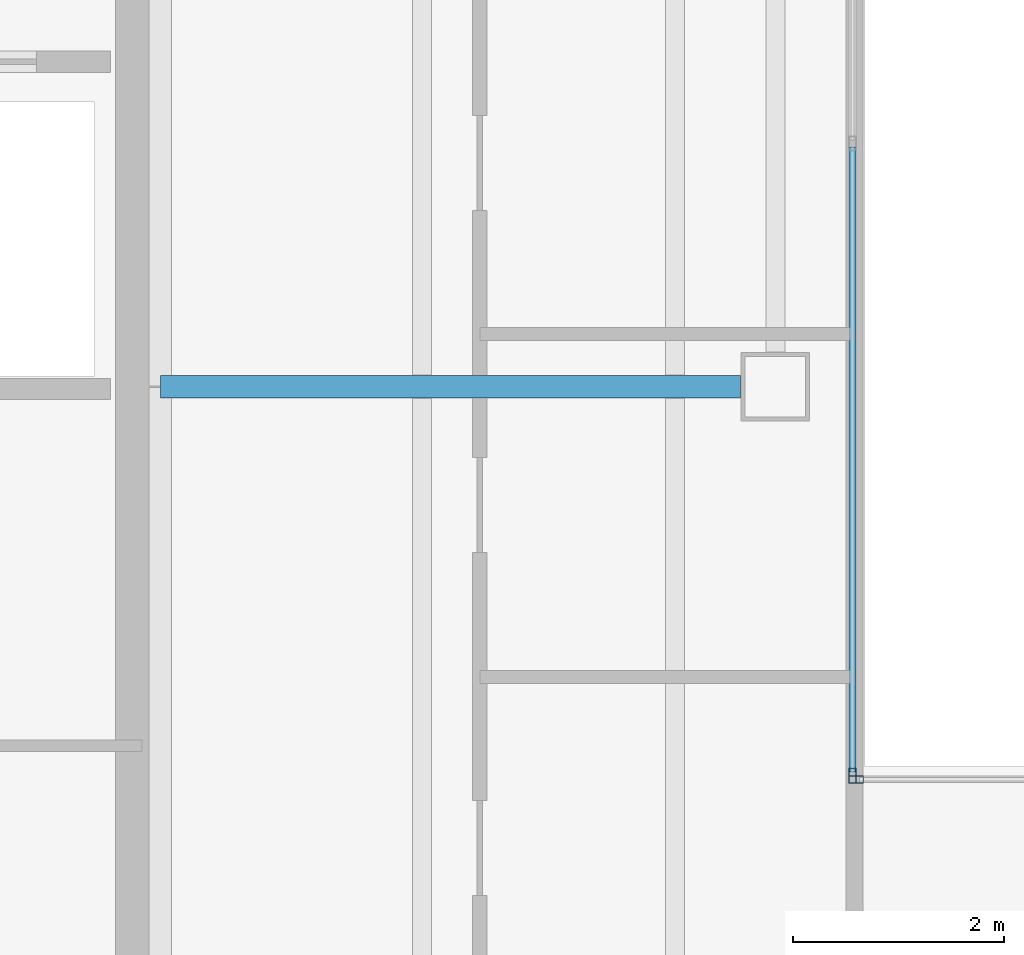
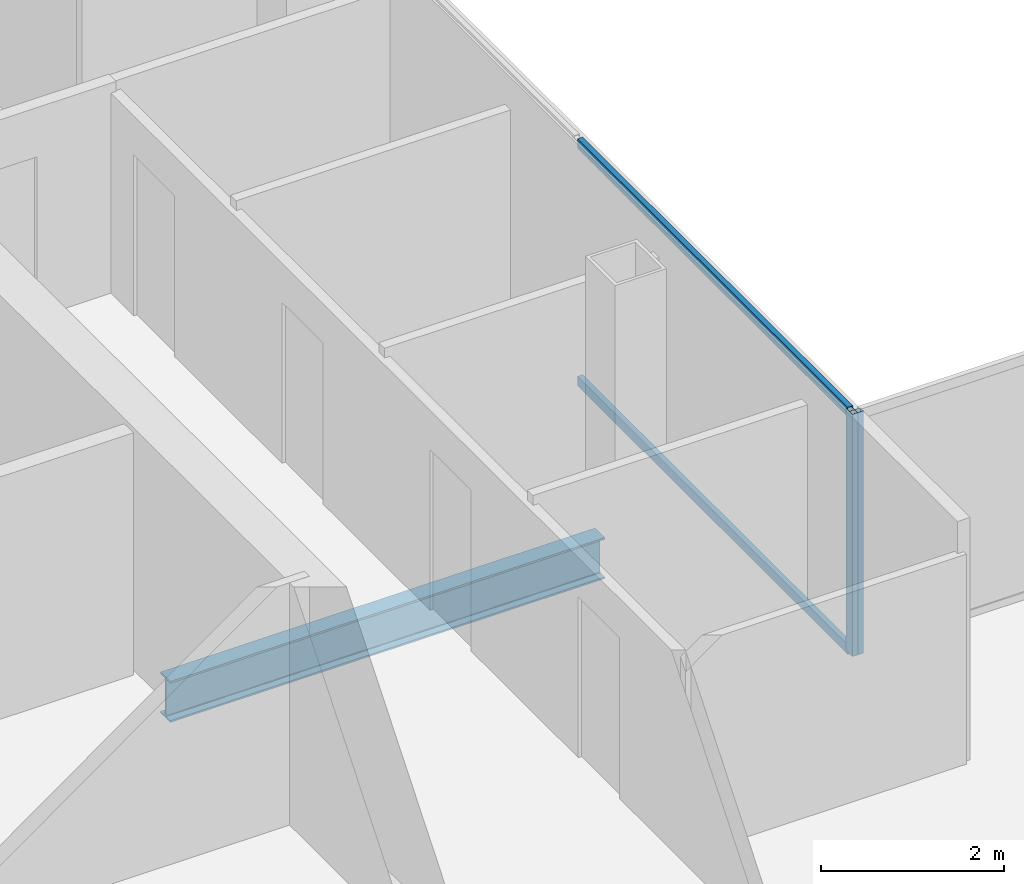
# One storey, part 8 of 24: 4 members, 1 beam, 2 elements without a shape of their own.
"""IFC4 building model written with IfcOpenShell, lengths in metres."""

from ifc_helpers import new_model, si_unit, direction, frame, origin, origin_2d, place, context, subcontext, project, spatial, hollow_rectangle, i_section, extrude, material, material_profile, profile_set, type_object, element, aggregate, save


model = new_model("IFC4")

# Units and contexts
model_context = context("Model", 3, precision=1e-05, world=origin(), true_north=direction((0.0, 1.0)))
body_context = subcontext(model_context, "Body", "Model", "MODEL_VIEW")
ifc_project = project(units=[si_unit("LENGTHUNIT", "METRE"), si_unit("AREAUNIT", "SQUARE_METRE"), si_unit("VOLUMEUNIT", "CUBIC_METRE"), si_unit("PLANEANGLEUNIT", "RADIAN"), si_unit("MASSUNIT", "GRAM", prefix="KILO")], contexts=[model_context])

# Site, building, storey
site_placement = place(None, origin())
site = spatial("IfcSite", under=ifc_project, at=site_placement, CompositionType="ELEMENT")
building_placement = place(site_placement, origin())
building = spatial("IfcBuilding", under=site, at=building_placement, Name="Cobrela Telecom Tower", CompositionType="ELEMENT")
storey_placement = place(building_placement, frame((0.0, 0.0, 248.14990234375)))
storey = spatial("IfcBuildingStorey", under=building, at=storey_placement, Name="L64", CompositionType="ELEMENT", Elevation=248.14990234375)

# Beam
ifc_material_1 = material(Name="Steel ASTM A992 Grade 50", Category="steel")
ifc_material_profile_1 = material_profile(ifc_material_1, i_section(OverallWidth=0.212890625, OverallDepth=0.549072265625, WebThickness=0.0146484375, FlangeThickness=0.023681640625, FilletRadius=0.013916015625, at=origin_2d()), Name="W21X93")
ifc_profile_set_1 = profile_set([ifc_material_profile_1], Name="Steel ASTM A992 Grade 50")
beam_type = type_object("IfcBeamType", Name="BM-GIRD-08", PredefinedType="USERDEFINED", material=ifc_profile_set_1)
beam_placement = place(storey_placement, frame((14.324951171875, 28.800048828125, -0.534423828125), z_axis=(1.0, 0.0, 0.0), x_axis=(0.0, 1.0, 0.0)))
element("IfcBeam", 1, at=beam_placement, inside=storey, type_object=beam_type, Name="L64 Primary Girder X15", ObjectType="GIRDER", PredefinedType="USERDEFINED", context=body_context, shape_type="SweptSolid", body=[
    extrude(i_section(OverallWidth=0.212890625, OverallDepth=0.549072265625, WebThickness=0.0146484375, FlangeThickness=0.023681640625, FilletRadius=0.013916015625, at=origin_2d()), origin(), (0.0, 0.0, 1.0), 5.4951171875),
])

# Curtain wall, member
ifc_material_2 = material(Name="Anodized Bronze Aluminium 6063-T6", Category="aluminium")
curtain_wall_type = type_object("IfcCurtainWallType", Name="CW-SYS-OFF-HI", PredefinedType="USERDEFINED", material=ifc_material_2)
curtain_wall_1_placement = place(storey_placement, origin())
curtain_wall_1 = element("IfcCurtainWall", 2, at=curtain_wall_1_placement, inside=storey, type_object=curtain_wall_type, Name="L64 Unitised Bronze Curtain Wall 08", ObjectType="UNITISED CURTAIN WALL", PredefinedType="USERDEFINED")
ifc_material_profile_2 = material_profile(ifc_material_2, hollow_rectangle(XDim=0.070068359375, YDim=0.139892578125, WallThickness=0.00390625, at=origin_2d()), Name="ALU 70x140x4")
ifc_profile_set_2 = profile_set([ifc_material_profile_2], Name="Anodized Bronze Aluminium 6063-T6")
member_type_1 = type_object("IfcMemberType", Name="CW-SYS-OFF-HI-MUL", PredefinedType="MULLION", material=ifc_profile_set_2)
member_1_placement = place(storey_placement, frame((20.8798828125, 25.114990234375, 0.0), z_axis=(0.0, 0.0, 1.0), x_axis=(1.0, 0.0, 0.0)))
member_1 = element("IfcMember", 3, at=member_1_placement, type_object=member_type_1, Name="CW-OFF-HI mullion 3", PredefinedType="MULLION", context=body_context, shape_type="SweptSolid", body=[
    extrude(hollow_rectangle(XDim=0.070068359375, YDim=0.139892578125, WallThickness=0.00390625, at=origin_2d()), origin(), (0.0, 0.0, 1.0), 3.239990234375),
])

curtain_wall_2_placement = place(storey_placement, origin())
curtain_wall_2 = element("IfcCurtainWall", 4, at=curtain_wall_2_placement, inside=storey, type_object=curtain_wall_type, Name="L64 Unitised Bronze Curtain Wall 09", ObjectType="UNITISED CURTAIN WALL", PredefinedType="USERDEFINED")
member_2_placement = place(storey_placement, frame((20.9150390625, 25.080078125, 0.0), z_axis=(0.0, 0.0, 1.0), x_axis=(0.0, 1.0, 0.0)))
member_2 = element("IfcMember", 5, at=member_2_placement, type_object=member_type_1, Name="CW-OFF-HI mullion 1", PredefinedType="MULLION", context=body_context, shape_type="SweptSolid", body=[
    extrude(hollow_rectangle(XDim=0.070068359375, YDim=0.139892578125, WallThickness=0.00390625, at=origin_2d()), origin(), (0.0, 0.0, 1.0), 3.239990234375),
])
aggregate(curtain_wall_2, [member_2])

# Member
ifc_material_profile_3 = material_profile(ifc_material_2, hollow_rectangle(XDim=0.06494140625, YDim=0.1298828125, WallThickness=0.00390625, at=origin_2d()), Name="ALU 65x130x4")
ifc_profile_set_3 = profile_set([ifc_material_profile_3], Name="Anodized Bronze Aluminium 6063-T6")
member_type_2 = type_object("IfcMemberType", Name="CW-SYS-OFF-HI-TRN", PredefinedType="USERDEFINED", material=ifc_profile_set_3)
member_3_placement = place(storey_placement, frame((20.8798828125, 31.070068359375, 0.03271484375), z_axis=(0.0, -1.0, 0.0), x_axis=(1.0, 0.0, 0.0)))
member_3 = element("IfcMember", 6, at=member_3_placement, type_object=member_type_2, Name="CW-OFF-HI transom 2.1", ObjectType="TRANSOM", PredefinedType="USERDEFINED", context=body_context, shape_type="SweptSolid", body=[
    extrude(hollow_rectangle(XDim=0.06494140625, YDim=0.1298828125, WallThickness=0.00390625, at=origin_2d()), origin(), (0.0, 0.0, 1.0), 5.920166015625),
])

member_4_placement = place(storey_placement, frame((20.8798828125, 31.070068359375, 3.20751953125), z_axis=(0.0, -1.0, 0.0), x_axis=(1.0, 0.0, 0.0)))
member_4 = element("IfcMember", 7, at=member_4_placement, type_object=member_type_2, Name="CW-OFF-HI transom 2.2", ObjectType="TRANSOM", PredefinedType="USERDEFINED", context=body_context, shape_type="SweptSolid", body=[
    extrude(hollow_rectangle(XDim=0.06494140625, YDim=0.1298828125, WallThickness=0.00390625, at=origin_2d()), origin(), (0.0, 0.0, 1.0), 5.920166015625),
])

aggregate(curtain_wall_1, [member_1, member_3, member_4])

save(model, "model.ifc")
